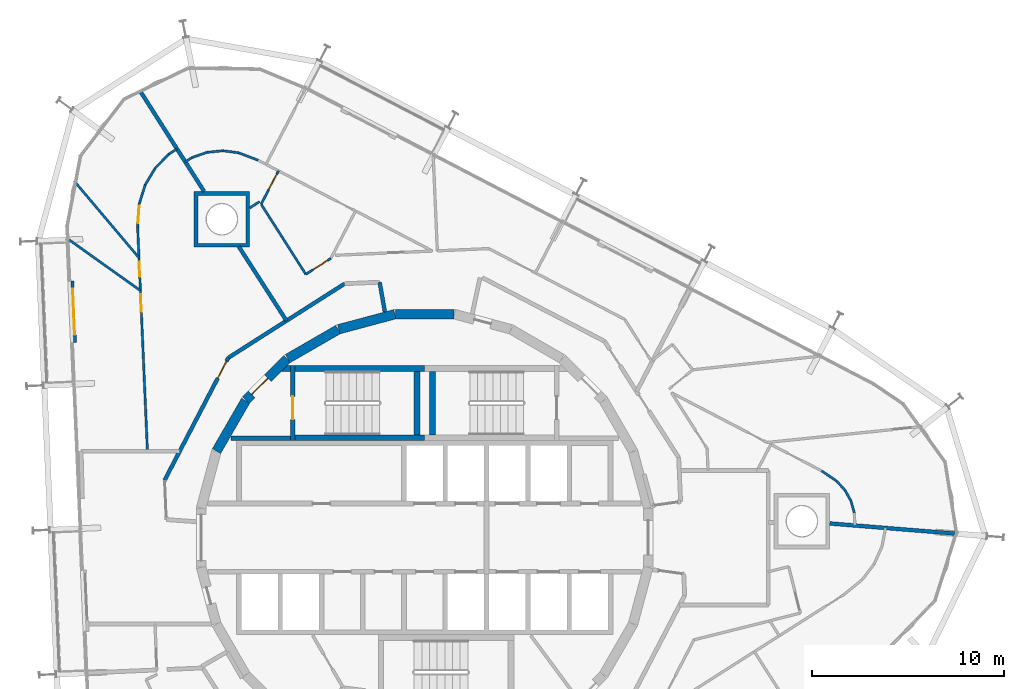
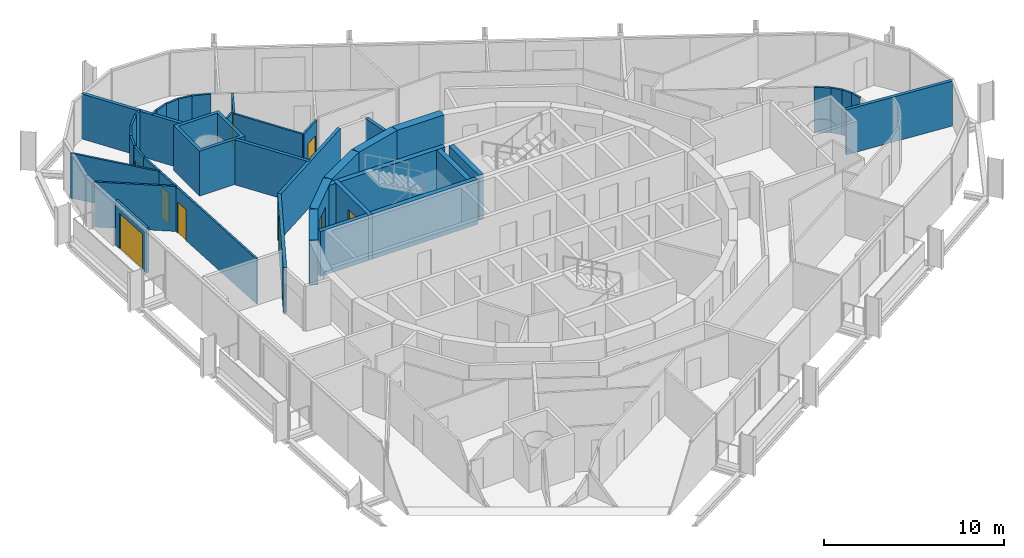
# One storey, part 15 of 18: 41 walls, 9 doors, 9 openings.
"""IFC4 building model written with IfcOpenShell, lengths in metres."""

from ifc_helpers import new_model, si_unit, direction, frame, frame_2d, origin, place, context, subcontext, project, spatial, polyline, rectangle, outline, extrude, material, layer, layer_set, type_object, element, fill, save


model = new_model("IFC4")

# Units and contexts
model_context = context("Model", 3, precision=1e-05, world=origin(), true_north=direction((0.0, 1.0)))
body_context = subcontext(model_context, "Body", "Model", "MODEL_VIEW")
ifc_project = project(units=[si_unit("LENGTHUNIT", "METRE"), si_unit("AREAUNIT", "SQUARE_METRE"), si_unit("VOLUMEUNIT", "CUBIC_METRE"), si_unit("PLANEANGLEUNIT", "RADIAN"), si_unit("MASSUNIT", "GRAM", prefix="KILO")], contexts=[model_context])

# Site, building, storey
site_placement = place(None, origin())
site = spatial("IfcSite", under=ifc_project, at=site_placement, CompositionType="ELEMENT")
building_placement = place(site_placement, origin())
building = spatial("IfcBuilding", under=site, at=building_placement, Name="Spindle Arch Residences", CompositionType="ELEMENT")
storey_placement = place(building_placement, frame((0.0, 0.0, 254.699951171875)))
storey = spatial("IfcBuildingStorey", under=building, at=storey_placement, Name="L65", CompositionType="ELEMENT", Elevation=254.699951171875)

# Walls
ifc_material_1 = material(Name="Concrete C50/60", Category="concrete")
ifc_layer_1 = layer(ifc_material_1, 0.5)
ifc_layer_set_1 = layer_set([ifc_layer_1], Name="Core outline wall 500")
wall_type_1 = type_object("IfcWallType", Name="Core outline wall 500", PredefinedType="SHEAR", material=ifc_layer_set_1)
for number, where, z_axis, x_axis, name in (
    (1, (1.516357421875, 11.647216796875, 0.0), (0.0, 0.0, 1.0), (-1.0, 0.0, 0.0), "Core outline wall 12"),
    (2, (-1.5498046875, 11.642822265625, 0.0), (0.0, 0.0, 1.0), (-0.965948410781, -0.258734743916, 0.0), "Core outline wall 13"),
    (3, (-4.510498046875, 10.84521484375, 0.0), (0.0, 0.0, 1.0), (-0.865975092491, -0.500087131594, 0.0), "Core outline wall 14"),
):
    element("IfcWall", number, at=place(storey_placement, frame(where, z_axis=z_axis, x_axis=x_axis)), inside=storey, type_object=wall_type_1, Name=name, PredefinedType="SHEAR", context=body_context, shape_type="SweptSolid", body=[
        extrude(rectangle(XDim=3.03271484375, YDim=0.5, at=frame_2d((1.516357421875, 0.0))), origin(), (0.0, 0.0, 1.0), 3.050048828125),
    ])

# Wall, opening, door
wall_1_placement = place(storey_placement, frame((-7.163818359375, 9.30810546875, 0.0), z_axis=(0.0, 0.0, 1.0), x_axis=(-0.707106781187, -0.707106781187, 0.0)))
wall_1 = element("IfcWall", 4, at=wall_1_placement, inside=storey, type_object=wall_type_1, Name="Core outline wall 15", PredefinedType="SHEAR", context=body_context, shape_type="SweptSolid", body=[
    extrude(rectangle(XDim=3.032470703125, YDim=0.5, at=frame_2d((1.51611328125, 0.0))), origin(), (0.0, 0.0, 1.0), 3.050048828125),
])
opening_1_placement = place(wall_1_placement, frame((1.416259765625, 0.0, 0.0)))
opening_1 = element("IfcOpeningElement", 5, at=opening_1_placement, cuts=wall_1, Name="Opening R6C0-AD02", PredefinedType="OPENING", context=body_context, shape_type="SweptSolid", body=[
    extrude(rectangle(XDim=1.199951171875, YDim=2.10009765625, at=frame_2d((0.60009765625, 1.050048828125))), frame((0.0, 0.260009765625, 0.0), z_axis=(0.0, -1.0, 0.0), x_axis=(1.0, 0.0, 0.0)), (0.0, 0.0, 1.0), 0.52001953125),
])
ifc_material_2 = material(Name="Steel, fire-resisting door", Category="steel")
door_type_1 = type_object("IfcDoorType", Name="Stair airlock door 1200x2100", OperationType="SINGLE_SWING_LEFT", PredefinedType="DOOR", material=ifc_material_2)
door_1_placement = place(opening_1_placement, origin())
door_1 = element("IfcDoor", 6, at=door_1_placement, inside=storey, type_object=door_type_1, Name="Stair airlock door R6C0-AD02", OperationType="SINGLE_SWING_RIGHT", OverallHeight=2.10009765625, OverallWidth=1.199951171875, PredefinedType="DOOR", context=body_context, shape_type="SweptSolid", body=[
    extrude(rectangle(XDim=1.199951171875, YDim=2.10009765625, at=frame_2d((0.60009765625, 1.050048828125))), frame((0.0, 0.02490234375, 0.0), z_axis=(0.0, -1.0, 0.0), x_axis=(1.0, 0.0, 0.0)), (0.0, 0.0, 1.0), 0.050048828125),
])
fill(opening_1, door_1)

# Walls
wall_2_placement = place(storey_placement, frame((-9.32861328125, 7.13671875, 0.0), z_axis=(0.0, 0.0, 1.0), x_axis=(-0.500087131594, -0.865975092491, 0.0)))
element("IfcWall", 7, at=wall_2_placement, inside=storey, type_object=wall_type_1, Name="Core outline wall 16", PredefinedType="SHEAR", context=body_context, shape_type="SweptSolid", body=[
    extrude(rectangle(XDim=3.03271484375, YDim=0.5, at=frame_2d((1.516357421875, 0.0))), origin(), (0.0, 0.0, 1.0), 3.050048828125),
])
ifc_material_3 = material(Name="Calcium silicate block, plastered")
ifc_layer_2 = layer(ifc_material_3, 0.199951171875)
ifc_layer_set_2 = layer_set([ifc_layer_2], Name="Corridor wall 200")
wall_type_2 = type_object("IfcWallType", Name="Corridor wall 200", PredefinedType="STANDARD", material=ifc_layer_set_2)
wall_3_placement = place(storey_placement, frame((-2.07373046875, 11.76123046875, 0.0), z_axis=(0.0, 0.0, 1.0), x_axis=(-0.173679082312, 0.984802303189, 0.0)))
element("IfcWall", 8, at=wall_3_placement, inside=storey, type_object=wall_type_2, Name="Corridor wall R6C0-W010", PredefinedType="STANDARD", context=body_context, shape_type="SweptSolid", body=[
    extrude(rectangle(XDim=1.572998046875, YDim=0.199951171875, at=frame_2d((0.78662109375, 0.0))), origin(), (0.0, 0.0, 1.0), 3.050048828125),
])
wall_4_placement = place(storey_placement, frame((-4.171630859375, 13.230712890625, 0.0), z_axis=(0.0, 0.0, 1.0), x_axis=(-0.843388394728, -0.537304397561, 0.0)))
element("IfcWall", 9, at=wall_4_placement, inside=storey, type_object=wall_type_2, Name="Corridor wall R6C0-W012", PredefinedType="STANDARD", context=body_context, shape_type="SweptSolid", body=[
    extrude(rectangle(XDim=7.180908203125, YDim=0.199951171875, at=frame_2d((3.59033203125, 0.0))), origin(), (0.0, 0.0, 1.0), 3.050048828125),
])
ifc_material_4 = material(Name="Plasterboard on steel studs", Category="steel")
ifc_layer_3 = layer(ifc_material_4, 0.1201171875)
ifc_layer_set_3 = layer_set([ifc_layer_3], Name="Flat partition 120")
wall_type_3 = type_object("IfcWallType", Name="Flat partition 120", PredefinedType="PARTITIONING", material=ifc_layer_set_3)
wall_5_placement = place(storey_placement, frame((20.67431640625, 3.4814453125, 0.0), z_axis=(0.0, 0.0, 1.0), x_axis=(0.827420148173, -0.56158338508, 0.0)))
element("IfcWall", 10, at=wall_5_placement, inside=storey, type_object=wall_type_3, Name="Flat partition R6C0-W048", PredefinedType="PARTITIONING", context=body_context, shape_type="SweptSolid", body=[
    extrude(rectangle(XDim=0.94677734375, YDim=0.1201171875, at=frame_2d((0.473388671875, 0.0))), origin(), (0.0, 0.0, 1.0), 3.050048828125),
])
for number, where, z_axis, x_axis, name in (
    (11, (21.457763671875, 2.94970703125, 0.0), (0.0, 0.0, 1.0), (0.675621263191, -0.737248878415, 0.0), "Flat partition R6C0-W049"),
    (12, (21.891357421875, 2.4765625, 0.0), (0.0, 0.0, 1.0), (0.487224522605, -0.87327673997, 0.0), "Flat partition R6C0-W050"),
):
    element("IfcWall", number, at=place(storey_placement, frame(where, z_axis=z_axis, x_axis=x_axis)), inside=storey, type_object=wall_type_3, Name=name, PredefinedType="PARTITIONING", context=body_context, shape_type="SweptSolid", body=[
        extrude(rectangle(XDim=0.641845703125, YDim=0.1201171875, at=frame_2d((0.32080078125, 0.0))), origin(), (0.0, 0.0, 1.0), 3.050048828125),
    ])
wall_6_placement = place(storey_placement, frame((22.2041015625, 1.916015625, 0.0), z_axis=(0.0, 0.0, 1.0), x_axis=(0.273013196411, -0.962010288191, 0.0)))
element("IfcWall", 13, at=wall_6_placement, inside=storey, type_object=wall_type_3, Name="Flat partition R6C0-W051", PredefinedType="PARTITIONING", context=body_context, shape_type="SweptSolid", body=[
    extrude(rectangle(XDim=0.64208984375, YDim=0.1201171875, at=frame_2d((0.321044921875, 0.0))), origin(), (0.0, 0.0, 1.0), 3.050048828125),
])

# Wall, opening, door
wall_7_placement = place(storey_placement, frame((-4.88818359375, 14.552734375, 0.0), z_axis=(0.0, 0.0, 1.0), x_axis=(-0.843349608892, -0.537365273517, 0.0)))
wall_7 = element("IfcWall", 14, at=wall_7_placement, inside=storey, type_object=wall_type_3, Name="Flat partition R6C0-W061", PredefinedType="PARTITIONING", context=body_context, shape_type="SweptSolid", body=[
    extrude(rectangle(XDim=1.5478515625, YDim=0.1201171875, at=frame_2d((0.77392578125, 0.0))), origin(), (0.0, 0.0, 1.0), 3.050048828125),
])
opening_2_placement = place(wall_7_placement, frame((0.199951171875, 0.0, 0.0)))
opening_2 = element("IfcOpeningElement", 15, at=opening_2_placement, cuts=wall_7, Name="Opening R6C0-ID08", PredefinedType="OPENING", context=body_context, shape_type="SweptSolid", body=[
    extrude(rectangle(XDim=0.89990234375, YDim=2.10009765625, at=frame_2d((0.449951171875, 1.050048828125))), frame((0.0, 0.070068359375, 0.0), z_axis=(0.0, -1.0, 0.0), x_axis=(1.0, 0.0, 0.0)), (0.0, 0.0, 1.0), 0.14013671875),
])
ifc_material_5 = material(Name="Timber door set", Category="wood")
door_type_2 = type_object("IfcDoorType", Name="Room door 900x2100", OperationType="NOTDEFINED", PredefinedType="DOOR", material=ifc_material_5)
door_2_placement = place(opening_2_placement, origin())
door_2 = element("IfcDoor", 16, at=door_2_placement, inside=storey, type_object=door_type_2, Name="Room door R6C0-ID08", OperationType="SINGLE_SWING_RIGHT", OverallHeight=2.10009765625, OverallWidth=0.89990234375, PredefinedType="DOOR", context=body_context, shape_type="SweptSolid", body=[
    extrude(rectangle(XDim=0.89990234375, YDim=2.10009765625, at=frame_2d((0.449951171875, 1.050048828125))), frame((0.0, 0.02490234375, 0.0), z_axis=(0.0, -1.0, 0.0), x_axis=(1.0, 0.0, 0.0)), (0.0, 0.0, 1.0), 0.050048828125),
])
fill(opening_2, door_2)

# Walls
wall_8_placement = place(storey_placement, frame((-6.193603515625, 13.720947265625, 0.0), z_axis=(0.0, 0.0, 1.0), x_axis=(-0.537316807294, 0.843380488629, 0.0)))
element("IfcWall", 17, at=wall_8_placement, inside=storey, type_object=wall_type_3, Name="Flat partition R6C0-W062", PredefinedType="PARTITIONING", context=body_context, shape_type="SweptSolid", body=[
    extrude(rectangle(XDim=4.33056640625, YDim=0.1201171875, at=frame_2d((2.165283203125, 0.0))), origin(), (0.0, 0.0, 1.0), 3.050048828125),
])
wall_9_placement = place(storey_placement, frame((-8.603515625, 17.50390625, 0.0), z_axis=(0.0, 0.0, 1.0), x_axis=(-0.843265746233, -0.537496866251, 0.0)))
element("IfcWall", 18, at=wall_9_placement, inside=storey, type_object=wall_type_3, Name="Flat partition R6C0-W063", PredefinedType="PARTITIONING", context=body_context, shape_type="SweptSolid", body=[
    extrude(rectangle(XDim=0.610107421875, YDim=0.1201171875, at=frame_2d((0.30517578125, 0.0))), origin(), (0.0, 0.0, 1.0), 3.050048828125),
])

# Wall, opening, door
wall_10_placement = place(storey_placement, frame((-7.6162109375, 19.1103515625, 0.0), z_axis=(0.0, 0.0, 1.0), x_axis=(-0.461764840073, -0.887002385832, 0.0)))
wall_10 = element("IfcWall", 19, at=wall_10_placement, inside=storey, type_object=wall_type_3, Name="Flat partition R6C0-W069", PredefinedType="PARTITIONING", context=body_context, shape_type="SweptSolid", body=[
    extrude(rectangle(XDim=1.958251953125, YDim=0.1201171875, at=frame_2d((0.97900390625, 0.0))), origin(), (0.0, 0.0, 1.0), 3.050048828125),
])
opening_3_placement = place(wall_10_placement, frame((0.199951171875, 0.0, 0.0)))
opening_3 = element("IfcOpeningElement", 20, at=opening_3_placement, cuts=wall_10, Name="Opening R6C0-ID11", PredefinedType="OPENING", context=body_context, shape_type="SweptSolid", body=[
    extrude(rectangle(XDim=0.89990234375, YDim=2.10009765625, at=frame_2d((0.449951171875, 1.050048828125))), frame((0.0, 0.070068359375, 0.0), z_axis=(0.0, -1.0, 0.0), x_axis=(1.0, 0.0, 0.0)), (0.0, 0.0, 1.0), 0.14013671875),
])
door_3_placement = place(opening_3_placement, origin())
door_3 = element("IfcDoor", 21, at=door_3_placement, inside=storey, type_object=door_type_2, Name="Room door R6C0-ID11", OperationType="SINGLE_SWING_RIGHT", OverallHeight=2.10009765625, OverallWidth=0.89990234375, PredefinedType="DOOR", context=body_context, shape_type="SweptSolid", body=[
    extrude(rectangle(XDim=0.89990234375, YDim=2.10009765625, at=frame_2d((0.449951171875, 1.050048828125))), frame((0.0, 0.02490234375, 0.0), z_axis=(0.0, -1.0, 0.0), x_axis=(1.0, 0.0, 0.0)), (0.0, 0.0, 1.0), 0.050048828125),
])
fill(opening_3, door_3)

# Walls
wall_11_placement = place(storey_placement, frame((-12.47314453125, 19.5791015625, 0.0), z_axis=(0.0, 0.0, 1.0), x_axis=(0.843467404643, 0.537180358264, 0.0)))
element("IfcWall", 22, at=wall_11_placement, inside=storey, type_object=wall_type_3, Name="Flat partition R6C0-W070", PredefinedType="PARTITIONING", context=body_context, shape_type="SweptSolid", body=[
    extrude(rectangle(XDim=0.41455078125, YDim=0.1201171875, at=frame_2d((0.207275390625, 0.0))), origin(), (0.0, 0.0, 1.0), 3.050048828125),
])
for number, where, z_axis, x_axis, name in (
    (23, (-12.12353515625, 19.8017578125, 0.0), (0.0, 0.0, 1.0), (0.944540495207, 0.328394964813, 0.0), "Flat partition R6C0-W071"),
    (24, (-11.340576171875, 20.073974609375, 0.0), (0.0, 0.0, 1.0), (0.994821992483, 0.101632688009, 0.0), "Flat partition R6C0-W072"),
    (25, (-10.51611328125, 20.158203125, 0.0), (0.0, 0.0, 1.0), (0.991412138518, -0.130774506685, 0.0), "Flat partition R6C0-W073"),
):
    element("IfcWall", number, at=place(storey_placement, frame(where, z_axis=z_axis, x_axis=x_axis)), inside=storey, type_object=wall_type_3, Name=name, PredefinedType="PARTITIONING", context=body_context, shape_type="SweptSolid", body=[
        extrude(rectangle(XDim=0.828857421875, YDim=0.1201171875, at=frame_2d((0.41455078125, 0.0))), origin(), (0.0, 0.0, 1.0), 3.050048828125),
    ])
wall_12_placement = place(storey_placement, frame((-9.6943359375, 20.0498046875, 0.0), z_axis=(0.0, 0.0, 1.0), x_axis=(0.934647766222, -0.35557496129, 0.0)))
element("IfcWall", 26, at=wall_12_placement, inside=storey, type_object=wall_type_3, Name="Flat partition R6C0-W074", PredefinedType="PARTITIONING", context=body_context, shape_type="SweptSolid", body=[
    extrude(rectangle(XDim=1.0869140625, YDim=0.1201171875, at=frame_2d((0.54345703125, 0.0))), origin(), (0.0, 0.0, 1.0), 3.050048828125),
])
wall_13_placement = place(storey_placement, frame((-12.903076171875, 20.253662109375, 0.0), z_axis=(0.0, 0.0, 1.0), x_axis=(-0.843404143432, -0.537279676557, 0.0)))
element("IfcWall", 27, at=wall_13_placement, inside=storey, type_object=wall_type_3, Name="Flat partition R6C0-W075", PredefinedType="PARTITIONING", context=body_context, shape_type="SweptSolid", body=[
    extrude(rectangle(XDim=0.508056640625, YDim=0.1201171875, at=frame_2d((0.25390625, 0.0))), origin(), (0.0, 0.0, 1.0), 3.050048828125),
])
for number, where, z_axis, x_axis, name in (
    (28, (-13.33154296875, 19.980712890625, 0.0), (0.0, 0.0, 1.0), (-0.69669736192, -0.717365169138, 0.0), "Flat partition R6C0-W076"),
    (29, (-14.039306640625, 19.251953125, 0.0), (0.0, 0.0, 1.0), (-0.512586118981, -0.858635819558, 0.0), "Flat partition R6C0-W077"),
    (30, (-14.56005859375, 18.379638671875, 0.0), (0.0, 0.0, 1.0), (-0.300682714382, -0.953724229152, 0.0), "Flat partition R6C0-W078"),
):
    element("IfcWall", number, at=place(storey_placement, frame(where, z_axis=z_axis, x_axis=x_axis)), inside=storey, type_object=wall_type_3, Name=name, PredefinedType="PARTITIONING", context=body_context, shape_type="SweptSolid", body=[
        extrude(rectangle(XDim=1.015869140625, YDim=0.1201171875, at=frame_2d((0.5078125, 0.0))), origin(), (0.0, 0.0, 1.0), 3.050048828125),
    ])

# Wall, opening, door
wall_14_placement = place(storey_placement, frame((-14.865478515625, 17.410888671875, 0.0), z_axis=(0.0, 0.0, 1.0), x_axis=(-0.072618457011, -0.997359794508, 0.0)))
wall_14 = element("IfcWall", 31, at=wall_14_placement, inside=storey, type_object=wall_type_3, Name="Flat partition R6C0-W079", PredefinedType="PARTITIONING", context=body_context, shape_type="SweptSolid", body=[
    extrude(rectangle(XDim=1.22705078125, YDim=0.1201171875, at=frame_2d((0.613525390625, 0.0))), origin(), (0.0, 0.0, 1.0), 3.050048828125),
])
opening_4_placement = place(wall_14_placement, frame((0.1201171875, 0.0, 0.0)))
opening_4 = element("IfcOpeningElement", 32, at=opening_4_placement, cuts=wall_14, Name="Opening R6C0-ID12", PredefinedType="OPENING", context=body_context, shape_type="SweptSolid", body=[
    extrude(rectangle(XDim=0.89990234375, YDim=2.10009765625, at=frame_2d((0.449951171875, 1.050048828125))), frame((0.0, 0.070068359375, 0.0), z_axis=(0.0, -1.0, 0.0), x_axis=(1.0, 0.0, 0.0)), (0.0, 0.0, 1.0), 0.14013671875),
])
door_4_placement = place(opening_4_placement, origin())
door_4 = element("IfcDoor", 33, at=door_4_placement, inside=storey, type_object=door_type_2, Name="Room door R6C0-ID12", OperationType="SINGLE_SWING_LEFT", OverallHeight=2.10009765625, OverallWidth=0.89990234375, PredefinedType="DOOR", context=body_context, shape_type="SweptSolid", body=[
    extrude(rectangle(XDim=0.89990234375, YDim=2.10009765625, at=frame_2d((0.449951171875, 1.050048828125))), frame((0.0, 0.02490234375, 0.0), z_axis=(0.0, -1.0, 0.0), x_axis=(1.0, 0.0, 0.0)), (0.0, 0.0, 1.0), 0.050048828125),
])
fill(opening_4, door_4)

# Wall, openings, doors
wall_15_placement = place(storey_placement, frame((-14.95458984375, 16.18701171875, 0.0), z_axis=(0.0, 0.0, 1.0), x_axis=(0.04360777668, -0.999048728448, 0.0)))
wall_15 = element("IfcWall", 34, at=wall_15_placement, inside=storey, type_object=wall_type_3, Name="Flat partition R6C0-W080", PredefinedType="PARTITIONING", context=body_context, shape_type="SweptSolid", body=[
    extrude(rectangle(XDim=11.6787109375, YDim=0.1201171875, at=frame_2d((5.83935546875, 0.0))), origin(), (0.0, 0.0, 1.0), 3.050048828125),
])
opening_5_placement = place(wall_15_placement, frame((1.807861328125, 0.0, 0.0)))
opening_5 = element("IfcOpeningElement", 35, at=opening_5_placement, cuts=wall_15, Name="Opening R6C0-BD03", PredefinedType="OPENING", context=body_context, shape_type="SweptSolid", body=[
    extrude(rectangle(XDim=0.800048828125, YDim=2.10009765625, at=frame_2d((0.39990234375, 1.050048828125))), frame((0.0, 0.070068359375, 0.0), z_axis=(0.0, -1.0, 0.0), x_axis=(1.0, 0.0, 0.0)), (0.0, 0.0, 1.0), 0.14013671875),
])
opening_6_placement = place(wall_15_placement, frame((3.519287109375, 0.0, 0.0)))
opening_6 = element("IfcOpeningElement", 36, at=opening_6_placement, cuts=wall_15, Name="Opening R6C0-ID13", PredefinedType="OPENING", context=body_context, shape_type="SweptSolid", body=[
    extrude(rectangle(XDim=0.89990234375, YDim=2.10009765625, at=frame_2d((0.449951171875, 1.050048828125))), frame((0.0, 0.070068359375, 0.0), z_axis=(0.0, -1.0, 0.0), x_axis=(1.0, 0.0, 0.0)), (0.0, 0.0, 1.0), 0.14013671875),
])
ifc_material_6 = material(Name="Timber door set", Category="wood")
door_type_3 = type_object("IfcDoorType", Name="Bathroom door 800x2100", OperationType="NOTDEFINED", PredefinedType="DOOR", material=ifc_material_6)
door_5_placement = place(opening_5_placement, origin())
door_5 = element("IfcDoor", 37, at=door_5_placement, inside=storey, type_object=door_type_3, Name="Bathroom door R6C0-BD03", OperationType="SINGLE_SWING_LEFT", OverallHeight=2.10009765625, OverallWidth=0.800048828125, PredefinedType="DOOR", context=body_context, shape_type="SweptSolid", body=[
    extrude(rectangle(XDim=0.800048828125, YDim=2.10009765625, at=frame_2d((0.39990234375, 1.050048828125))), frame((0.0, 0.02490234375, 0.0), z_axis=(0.0, -1.0, 0.0), x_axis=(1.0, 0.0, 0.0)), (0.0, 0.0, 1.0), 0.050048828125),
])
fill(opening_5, door_5)
door_6_placement = place(opening_6_placement, origin())
door_6 = element("IfcDoor", 38, at=door_6_placement, inside=storey, type_object=door_type_2, Name="Room door R6C0-ID13", OperationType="SINGLE_SWING_LEFT", OverallHeight=2.10009765625, OverallWidth=0.89990234375, PredefinedType="DOOR", context=body_context, shape_type="SweptSolid", body=[
    extrude(rectangle(XDim=0.89990234375, YDim=2.10009765625, at=frame_2d((0.449951171875, 1.050048828125))), frame((0.0, 0.02490234375, 0.0), z_axis=(0.0, -1.0, 0.0), x_axis=(1.0, 0.0, 0.0)), (0.0, 0.0, 1.0), 0.050048828125),
])
fill(opening_6, door_6)

# Walls
wall_16_placement = place(storey_placement, frame((-18.268798828125, 18.5888671875, 0.0), z_axis=(0.0, 0.0, 1.0), x_axis=(0.645124067673, -0.764077834588, 0.0)))
element("IfcWall", 39, at=wall_16_placement, inside=storey, type_object=wall_type_3, Name="Flat partition R6C0-W081", PredefinedType="PARTITIONING", context=body_context, shape_type="SweptSolid", body=[
    extrude(rectangle(XDim=5.245849609375, YDim=0.1201171875, at=frame_2d((2.623046875, 0.0))), origin(), (0.0, 0.0, 1.0), 3.050048828125),
])
wall_17_placement = place(storey_placement, frame((-18.529052734375, 15.521728515625, 0.0), z_axis=(0.0, 0.0, 1.0), x_axis=(0.814350646776, -0.580373176582, 0.0)))
element("IfcWall", 40, at=wall_17_placement, inside=storey, type_object=wall_type_3, Name="Flat partition R6C0-W082", PredefinedType="PARTITIONING", context=body_context, shape_type="SweptSolid", body=[
    extrude(rectangle(XDim=4.567138671875, YDim=0.1201171875, at=frame_2d((2.28369140625, 0.0))), origin(), (0.0, 0.0, 1.0), 3.050048828125),
])
ifc_material_7 = material(Name="Calcium silicate block, plastered")
ifc_layer_4 = layer(ifc_material_7, 0.199951171875)
ifc_layer_set_4 = layer_set([ifc_layer_4], Name="Flat party wall 200")
wall_type_4 = type_object("IfcWallType", Name="Flat party wall 200", PredefinedType="STANDARD", material=ifc_layer_set_4)
wall_18_placement = place(storey_placement, frame((21.10009765625, 0.74072265625, 0.0), z_axis=(0.0, 0.0, 1.0), x_axis=(0.996750718609, -0.080548153006, 0.0)))
element("IfcWall", 41, at=wall_18_placement, inside=storey, type_object=wall_type_4, Name="Flat party wall R6C0-W031", PredefinedType="STANDARD", context=body_context, shape_type="SweptSolid", body=[
    extrude(rectangle(XDim=6.537841796875, YDim=0.199951171875, at=frame_2d((3.26904296875, 0.0))), origin(), (0.0, 0.0, 1.0), 3.050048828125),
])
wall_19_placement = place(storey_placement, frame((-9.68994140625, 15.1708984375, 0.0), z_axis=(0.0, 0.0, 1.0), x_axis=(0.540961372678, -0.841047438181, 0.0)))
element("IfcWall", 42, at=wall_19_placement, inside=storey, type_object=wall_type_4, Name="Flat party wall R6C0-W033", PredefinedType="STANDARD", context=body_context, shape_type="SweptSolid", body=[
    extrude(rectangle(XDim=4.6015625, YDim=0.199951171875, at=frame_2d((2.30078125, 0.0))), origin(), (0.0, 0.0, 1.0), 3.050048828125),
])
wall_20_placement = place(storey_placement, frame((-14.83740234375, 23.289794921875, 0.0), z_axis=(0.0, 0.0, 1.0), x_axis=(0.537316863221, -0.843380452998, 0.0)))
element("IfcWall", 43, at=wall_20_placement, inside=storey, type_object=wall_type_4, Name="Flat party wall R6C0-W034", PredefinedType="STANDARD", context=body_context, shape_type="SweptSolid", body=[
    extrude(rectangle(XDim=6.226806640625, YDim=0.199951171875, at=frame_2d((3.11328125, 0.0))), origin(), (0.0, 0.0, 1.0), 3.050048828125),
])

# Wall, opening, door
ifc_material_8 = material(Name="Non-combustible mineral wool insulated aluminium faced external wall (K0)", Category="aluminium")
ifc_layer_5 = layer(ifc_material_8, 0.159912109375)
ifc_layer_set_5 = layer_set([ifc_layer_5], Name="Insulated external wall panel 160")
wall_type_5 = type_object("IfcWallType", Name="Insulated external wall panel 160", PredefinedType="STANDARD", material=ifc_layer_set_5)
wall_21_placement = place(storey_placement, frame((-18.354736328125, 13.3623046875, 0.0), z_axis=(0.0, 0.0, 1.0), x_axis=(0.043639181999, -0.999047357133, 0.0)))
wall_21 = element("IfcWall", 44, at=wall_21_placement, inside=storey, type_object=wall_type_5, Name="External wall L65 bay 13", PredefinedType="STANDARD", context=body_context, shape_type="SweptSolid", body=[
    extrude(rectangle(XDim=3.199951171875, YDim=0.159912109375, at=frame_2d((1.60009765625, 0.0))), origin(), (0.0, 0.0, 1.0), 3.050048828125),
])
opening_7_placement = place(wall_21_placement, frame((0.39990234375, 0.0, 0.0)))
opening_7 = element("IfcOpeningElement", 45, at=opening_7_placement, cuts=wall_21, Name="Opening BD13", PredefinedType="OPENING", context=body_context, shape_type="SweptSolid", body=[
    extrude(rectangle(XDim=2.39990234375, YDim=2.39990234375, at=frame_2d((1.199951171875, 1.199951171875))), frame((0.0, 0.08984375, 0.0), z_axis=(0.0, -1.0, 0.0), x_axis=(1.0, 0.0, 0.0)), (0.0, 0.0, 1.0), 0.179931640625),
])
ifc_material_9 = material(Name="Bronze aluminium frame, tinted double glazing", Category="aluminium")
door_type_4 = type_object("IfcDoorType", Name="Sliding glazed balcony door 2400x2400", OperationType="DOUBLE_DOOR_SLIDING", PredefinedType="DOOR", material=ifc_material_9)
door_7_placement = place(opening_7_placement, origin())
door_7 = element("IfcDoor", 46, at=door_7_placement, inside=storey, type_object=door_type_4, Name="Balcony door BD13", OperationType="DOUBLE_DOOR_SLIDING", OverallHeight=2.39990234375, OverallWidth=2.39990234375, PredefinedType="DOOR", context=body_context, shape_type="SweptSolid", body=[
    extrude(rectangle(XDim=2.39990234375, YDim=2.39990234375, at=frame_2d((1.199951171875, 1.199951171875))), frame((0.0, 0.02490234375, 0.0), z_axis=(0.0, -1.0, 0.0), x_axis=(1.0, 0.0, 0.0)), (0.0, 0.0, 1.0), 0.050048828125),
])
fill(opening_7, door_7)

ifc_material_10 = material(Name="Calcium silicate block, plastered")
ifc_layer_6 = layer(ifc_material_10, 0.199951171875)
ifc_layer_set_6 = layer_set([ifc_layer_6], Name="Lift lobby bay wall 200")
wall_type_6 = type_object("IfcWallType", Name="Lift lobby bay wall 200", PredefinedType="STANDARD", material=ifc_layer_set_6)
wall_22_placement = place(storey_placement, frame((-10.22802734375, 9.372314453125, 0.0), z_axis=(0.0, 0.0, 1.0), x_axis=(-0.461759464021, -0.887005184532, 0.0)))
wall_22 = element("IfcWall", 47, at=wall_22_placement, inside=storey, type_object=wall_type_6, Name="Lift lobby bay wall R6C0-W007", PredefinedType="STANDARD", context=body_context, shape_type="SweptSolid", body=[
    extrude(rectangle(XDim=7.18115234375, YDim=0.199951171875, at=frame_2d((3.590576171875, 0.0))), origin(), (0.0, 0.0, 1.0), 3.050048828125),
])
opening_8_placement = place(wall_22_placement, frame((0.199951171875, 0.0, 0.0)))
opening_8 = element("IfcOpeningElement", 48, at=opening_8_placement, cuts=wall_22, Name="Opening R6C0-FD03", PredefinedType="OPENING", context=body_context, shape_type="SweptSolid", body=[
    extrude(rectangle(XDim=1.0, YDim=2.10009765625, at=frame_2d((0.5, 1.050048828125))), frame((0.0, 0.10986328125, 0.0), z_axis=(0.0, -1.0, 0.0), x_axis=(1.0, 0.0, 0.0)), (0.0, 0.0, 1.0), 0.219970703125),
])
ifc_material_11 = material(Name="Timber, fire-resisting door set", Category="wood")
door_type_5 = type_object("IfcDoorType", Name="Flat entrance door 1000x2100", OperationType="NOTDEFINED", PredefinedType="DOOR", material=ifc_material_11)
door_8_placement = place(opening_8_placement, origin())
door_8 = element("IfcDoor", 49, at=door_8_placement, inside=storey, type_object=door_type_5, Name="Flat entrance door R6C0-FD03", OperationType="SINGLE_SWING_LEFT", OverallHeight=2.10009765625, OverallWidth=1.0, PredefinedType="DOOR", context=body_context, shape_type="SweptSolid", body=[
    extrude(rectangle(XDim=1.0, YDim=2.10009765625, at=frame_2d((0.5, 1.050048828125))), frame((0.0, 0.02490234375, 0.0), z_axis=(0.0, -1.0, 0.0), x_axis=(1.0, 0.0, 0.0)), (0.0, 0.0, 1.0), 0.050048828125),
])
fill(opening_8, door_8)

# Walls
ifc_material_12 = material(Name="Calcium silicate block, plastered")
ifc_layer_7 = layer(ifc_material_12, 0.199951171875)
ifc_layer_set_7 = layer_set([ifc_layer_7], Name="Mega-column casing wall 200")
wall_type_7 = type_object("IfcWallType", Name="Mega-column casing wall 200", PredefinedType="STANDARD", material=ifc_layer_set_7)
wall_23_placement = place(storey_placement, origin())
element("IfcWall", 50, at=wall_23_placement, inside=storey, type_object=wall_type_7, Name="Mega-column casing wall R6C0-WC02", PredefinedType="STANDARD", context=body_context, shape_type="SweptSolid", body=[
    extrude(outline(polyline([(-9.117919921875, 18.038330078125), (-9.117919921875, 15.138427734375), (-12.01806640625, 15.138427734375), (-12.01806640625, 18.038330078125), (-9.117919921875, 18.038330078125)]), holes=[polyline([(-11.818115234375, 15.33837890625), (-9.318115234375, 15.33837890625), (-9.318115234375, 17.83837890625), (-11.818115234375, 17.83837890625), (-11.818115234375, 15.33837890625)])]), origin(), (0.0, 0.0, 1.0), 3.050048828125),
])
ifc_material_13 = material(Name="Concrete C40/50", Category="concrete")
ifc_layer_8 = layer(ifc_material_13, 0.25)
ifc_layer_set_8 = layer_set([ifc_layer_8], Name="Stair airlock wall 250")
wall_type_8 = type_object("IfcWallType", Name="Stair airlock wall 250", PredefinedType="SHEAR", material=ifc_layer_set_8)
wall_24_placement = place(storey_placement, frame((-7.0, 5.175048828125, 0.0), z_axis=(0.0, 0.0, 1.0), x_axis=(-1.0, 0.0, 0.0)))
element("IfcWall", 51, at=wall_24_placement, inside=storey, type_object=wall_type_8, Name="Stair ST-2 airlock wall S", PredefinedType="SHEAR", context=body_context, shape_type="SweptSolid", body=[
    extrude(rectangle(XDim=3.10009765625, YDim=0.25, at=frame_2d((1.550048828125, 0.0))), origin(), (0.0, 0.0, 1.0), 3.050048828125),
])
ifc_material_14 = material(Name="Concrete C40/50", Category="concrete")
wall_type_9 = type_object("IfcWallType", Name="Stair airlock wall profile", PredefinedType="SHEAR", material=ifc_material_14)
wall_25_placement = place(storey_placement, origin())
element("IfcWall", 52, at=wall_25_placement, inside=storey, type_object=wall_type_9, Name="Stair ST-2 airlock wall N", PredefinedType="SHEAR", context=body_context, shape_type="SweptSolid", body=[
    extrude(outline(polyline([(-7.148193359375, 8.969970703125), (-7.0, 8.969970703125), (-7.0, 8.669921875), (-7.4482421875, 8.669921875), (-7.148193359375, 8.969970703125)])), origin(), (0.0, 0.0, 1.0), 3.050048828125),
])

# Wall, opening, door
ifc_material_15 = material(Name="Concrete C50/60", Category="concrete")
ifc_layer_9 = layer(ifc_material_15, 0.25)
ifc_layer_set_9 = layer_set([ifc_layer_9], Name="Stair enclosure wall 250")
wall_type_10 = type_object("IfcWallType", Name="Stair enclosure wall 250", PredefinedType="SHEAR", material=ifc_layer_set_9)
wall_26_placement = place(storey_placement, frame((-6.875, 8.969970703125, 0.0), z_axis=(0.0, 0.0, 1.0), x_axis=(0.0, -1.0, 0.0)))
wall_26 = element("IfcWall", 53, at=wall_26_placement, inside=storey, type_object=wall_type_10, Name="Stair ST-2 door wall", PredefinedType="SHEAR", context=body_context, shape_type="SweptSolid", body=[
    extrude(rectangle(XDim=3.919921875, YDim=0.25, at=frame_2d((1.9599609375, 0.0))), origin(), (0.0, 0.0, 1.0), 3.050048828125),
])
opening_9_placement = place(wall_26_placement, frame((1.610107421875, 0.0, 0.0)))
opening_9 = element("IfcOpeningElement", 54, at=opening_9_placement, cuts=wall_26, Name="Opening R6C0-SD02", PredefinedType="OPENING", context=body_context, shape_type="SweptSolid", body=[
    extrude(rectangle(XDim=1.199951171875, YDim=2.10009765625, at=frame_2d((0.60009765625, 1.050048828125))), frame((0.0, 0.135009765625, 0.0), z_axis=(0.0, -1.0, 0.0), x_axis=(1.0, 0.0, 0.0)), (0.0, 0.0, 1.0), 0.27001953125),
])
ifc_material_16 = material(Name="Steel, fire-resisting door", Category="steel")
door_type_6 = type_object("IfcDoorType", Name="Stair door 1200x2100", OperationType="SINGLE_SWING_RIGHT", PredefinedType="DOOR", material=ifc_material_16)
door_9_placement = place(opening_9_placement, origin())
door_9 = element("IfcDoor", 55, at=door_9_placement, inside=storey, type_object=door_type_6, Name="Stair door R6C0-SD02", OperationType="SINGLE_SWING_LEFT", OverallHeight=2.10009765625, OverallWidth=1.199951171875, PredefinedType="DOOR", context=body_context, shape_type="SweptSolid", body=[
    extrude(rectangle(XDim=1.199951171875, YDim=2.10009765625, at=frame_2d((0.60009765625, 1.050048828125))), frame((0.0, 0.02490234375, 0.0), z_axis=(0.0, -1.0, 0.0), x_axis=(1.0, 0.0, 0.0)), (0.0, 0.0, 1.0), 0.050048828125),
])
fill(opening_9, door_9)

# Walls
ifc_material_17 = material(Name="Concrete C50/60", Category="concrete")
ifc_layer_10 = layer(ifc_material_17, 0.300048828125)
ifc_layer_set_10 = layer_set([ifc_layer_10], Name="Stair enclosure wall 300")
wall_type_11 = type_object("IfcWallType", Name="Stair enclosure wall 300", PredefinedType="SHEAR", material=ifc_layer_set_10)
wall_27_placement = place(storey_placement, frame((0.39990234375, 5.35009765625, 0.0), z_axis=(0.0, 0.0, 1.0), x_axis=(0.0, 1.0, 0.0)))
element("IfcWall", 56, at=wall_27_placement, inside=storey, type_object=wall_type_11, Name="Stair ST-1 enclosure wall F", PredefinedType="SHEAR", context=body_context, shape_type="SweptSolid", body=[
    extrude(rectangle(XDim=3.31982421875, YDim=0.300048828125, at=frame_2d((1.659912109375, 0.0))), origin(), (0.0, 0.0, 1.0), 3.050048828125),
])
for number, where, z_axis, x_axis, name in (
    (57, (-6.75, 5.199951171875, 0.0), (0.0, 0.0, 1.0), (1.0, 0.0, 0.0), "Stair ST-2 enclosure wall S"),
    (58, (-6.75, 8.820068359375, 0.0), (0.0, 0.0, 1.0), (1.0, 0.0, 0.0), "Stair ST-2 enclosure wall N"),
):
    element("IfcWall", number, at=place(storey_placement, frame(where, z_axis=z_axis, x_axis=x_axis)), inside=storey, type_object=wall_type_11, Name=name, PredefinedType="SHEAR", context=body_context, shape_type="SweptSolid", body=[
        extrude(rectangle(XDim=6.75, YDim=0.300048828125, at=frame_2d((3.375, 0.0))), origin(), (0.0, 0.0, 1.0), 3.050048828125),
    ])
wall_28_placement = place(storey_placement, frame((-0.39990234375, 5.35009765625, 0.0), z_axis=(0.0, 0.0, 1.0), x_axis=(0.0, 1.0, 0.0)))
element("IfcWall", 59, at=wall_28_placement, inside=storey, type_object=wall_type_11, Name="Stair ST-2 enclosure wall F", PredefinedType="SHEAR", context=body_context, shape_type="SweptSolid", body=[
    extrude(rectangle(XDim=3.31982421875, YDim=0.300048828125, at=frame_2d((1.659912109375, 0.0))), origin(), (0.0, 0.0, 1.0), 3.050048828125),
])

save(model, "model.ifc")
